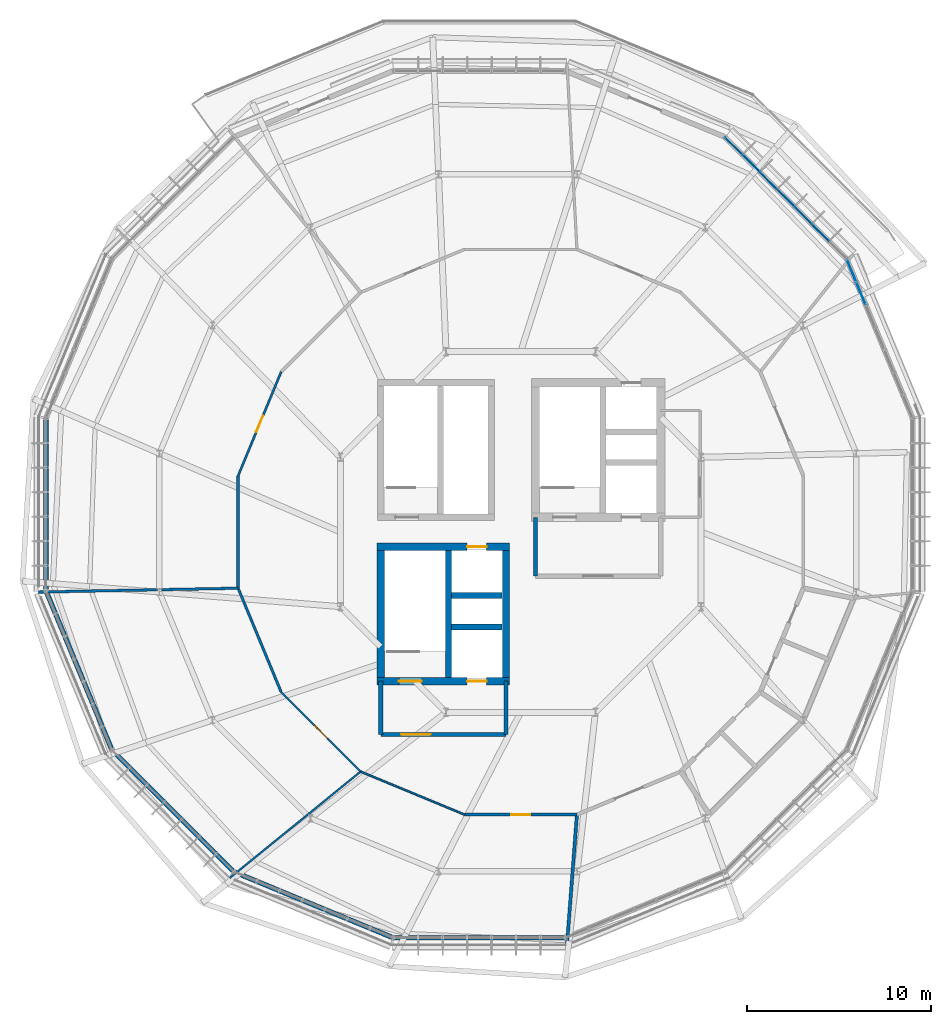
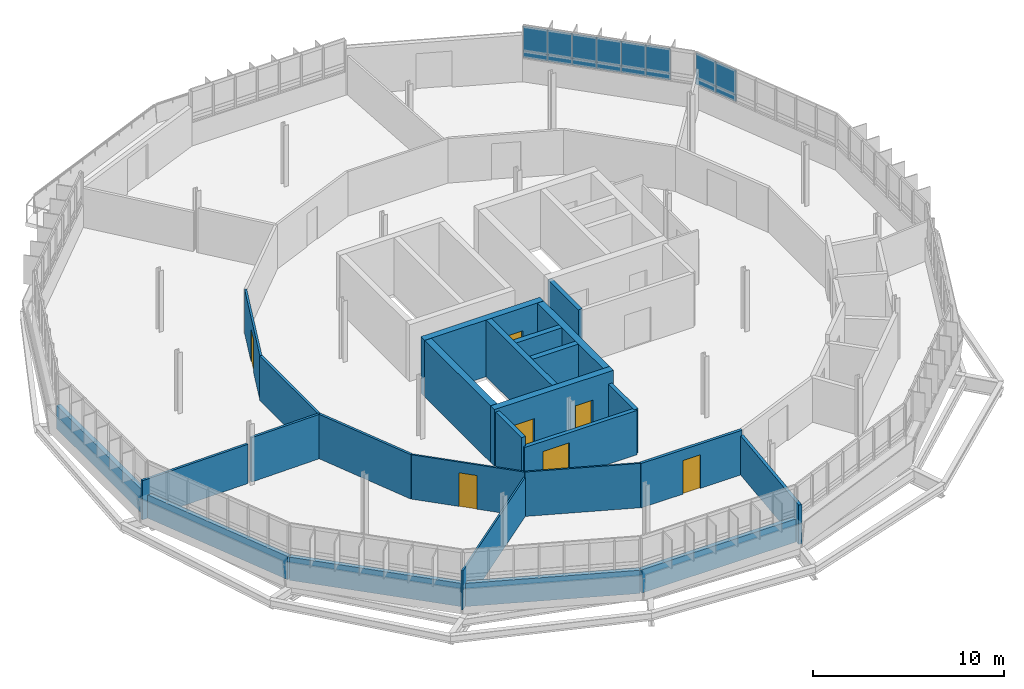
# One storey, part 26 of 31: 26 walls, 16 plates, 7 doors, 7 openings, 2 elements without a shape of their own.
"""IFC4 building model written with IfcOpenShell, lengths in metres."""

import ifcopenshell
import ifcopenshell.guid

model = None  # the IFC model being written
_history = None  # IfcOwnerHistory: only IFC2X3 demands one
_inside = {}  # id of a spatial element -> (the spatial element, [elements in it])
_under = {}  # id of a project, library or spatial element -> (it, [spatial elements below it])
_declared = {}  # id of a project -> (the project, [libraries it declares])
_typed = {}  # id of a type object -> (the type object, [elements of that type])
_made_of = {}  # id of a material, layer set ... -> (it, [elements and type objects made of it])


def new_model(schema):
    """Start an empty IFC model of exactly this schema.

    Asked for "IFC4X3", IfcOpenShell would pick the latest addendum, in which some entities
    have other attributes; the version numbers below select the first issue.
    IFC2X3 requires an IfcOwnerHistory on every rooted entity: one is made here for all.
    """
    global model, _history
    if schema == "IFC4X3":
        model = ifcopenshell.file(schema_version=(4, 3, 0, 0))
    else:
        model = ifcopenshell.file(schema=schema)
    _inside.clear()
    _under.clear()
    _declared.clear()
    _typed.clear()
    _made_of.clear()
    _history = None
    if model.schema == "IFC2X3":
        org = make("IfcOrganization", Name="unknown")
        user = make(
            "IfcPersonAndOrganization",
            ThePerson=make("IfcPerson", FamilyName="unknown"),
            TheOrganization=org,
        )
        app = make(
            "IfcApplication",
            ApplicationDeveloper=org,
            Version="unknown",
            ApplicationFullName="unknown",
            ApplicationIdentifier="unknown",
        )
        _history = make(
            "IfcOwnerHistory",
            OwningUser=user,
            OwningApplication=app,
            ChangeAction="ADDED",
            CreationDate=0,
        )
    return model


def make(cls, **values):
    """One entity of the class cls with the attributes given. An attribute that is None is left unset."""
    return model.create_entity(
        cls, **{name: value for name, value in values.items() if value is not None}
    )


def rooted(cls, **values):
    """An entity with a GlobalId (a new one), such as an element, a storey or a relation."""
    return make(cls, GlobalId=ifcopenshell.guid.new(), OwnerHistory=_history, **values)


def si_unit(unit_type, name, prefix=None):
    """IfcSIUnit, for example si_unit("LENGTHUNIT", "METRE", prefix="MILLI")."""
    return make("IfcSIUnit", UnitType=unit_type, Prefix=prefix, Name=name)


def derived_unit(unit_type, elements):
    """IfcDerivedUnit: a product of units, each with its exponent."""
    return make(
        "IfcDerivedUnit",
        Elements=[
            make("IfcDerivedUnitElement", Unit=unit, Exponent=power)
            for unit, power in elements
        ],
        UnitType=unit_type,
    )


def assignment(units):
    """IfcUnitAssignment: the units of a project."""
    return None if units is None else make("IfcUnitAssignment", Units=units)


def point(xyz):
    """IfcCartesianPoint."""
    return None if xyz is None else make("IfcCartesianPoint", Coordinates=xyz)


def direction(xyz):
    """IfcDirection."""
    return None if xyz is None else make("IfcDirection", DirectionRatios=xyz)


def frame(location, z_axis=None, x_axis=None):
    """IfcAxis2Placement3D, a coordinate frame: its origin and axes. An axis left out is left unset."""
    return make(
        "IfcAxis2Placement3D",
        Location=point(location),
        Axis=direction(z_axis),
        RefDirection=direction(x_axis),
    )


def frame_2d(location, x_axis=None):
    """IfcAxis2Placement2D, a coordinate frame in the plane: its origin and x axis."""
    return make(
        "IfcAxis2Placement2D", Location=point(location), RefDirection=direction(x_axis)
    )


def origin():
    """The frame at (0, 0, 0) with its axes left unset."""
    return frame((0.0, 0.0, 0.0))


def origin_2d():
    """The frame at (0, 0) in the plane with its x axis left unset."""
    return frame_2d((0.0, 0.0))


def place(relative_to, where):
    """IfcLocalPlacement: puts the frame where relative to a parent placement (None: the world)."""
    return make(
        "IfcLocalPlacement", PlacementRelTo=relative_to, RelativePlacement=where
    )


def context(
    kind, dimensions, precision=None, world=None, true_north=None, identifier=None
):
    """IfcGeometricRepresentationContext, for example the 3D "Model" context."""
    return make(
        "IfcGeometricRepresentationContext",
        ContextIdentifier=identifier,
        ContextType=kind,
        CoordinateSpaceDimension=dimensions,
        Precision=precision,
        WorldCoordinateSystem=world,
        TrueNorth=true_north,
    )


def subcontext(parent, identifier, kind, view, scale=None):
    """IfcGeometricRepresentationSubContext, for example "Body" below "Model"."""
    return make(
        "IfcGeometricRepresentationSubContext",
        ContextIdentifier=identifier,
        ContextType=kind,
        ParentContext=parent,
        TargetScale=scale,
        TargetView=view,
    )


def project(units=None, contexts=None):
    """IfcProject with its units and contexts."""
    return rooted(
        "IfcProject",
        Name="project",
        RepresentationContexts=contexts,
        UnitsInContext=assignment(units),
    )


def spatial(cls, under=None, at=None, **own):
    """A site, building, storey or space (cls), placed at a placement, below another one or the project."""
    s = rooted(cls, ObjectPlacement=at, **own)
    if under is not None:
        _under.setdefault(under.id(), (under, []))[1].append(s)
    return s


def profile(cls, at=None, kind="AREA", **sizes):
    """A parametric profile (cls). Its sizes go by their IFC names, for example OverallWidth=200.0."""
    return make(cls, ProfileType=kind, Position=at, **sizes)


def rectangle(**sizes):
    """IfcRectangleProfileDef."""
    return profile("IfcRectangleProfileDef", **sizes)


def extrude(swept, where, along, depth):
    """IfcExtrudedAreaSolid: the profile swept, set in the frame where, extruded along a direction by depth."""
    return make(
        "IfcExtrudedAreaSolid",
        SweptArea=swept,
        Position=where,
        ExtrudedDirection=direction(along),
        Depth=depth,
    )


def shape(context_of_items, identifier, shape_type, items):
    """IfcShapeRepresentation: the items that make up one representation, for example the "Body"."""
    return make(
        "IfcShapeRepresentation",
        ContextOfItems=context_of_items,
        RepresentationIdentifier=identifier,
        RepresentationType=shape_type,
        Items=items,
    )


def material(Name=None, Category=None):
    """IfcMaterial."""
    return make("IfcMaterial", Name=Name, Category=Category)


def layer(
    of_material, thickness, ventilated=None, Name=None, Category=None, Priority=None
):
    """IfcMaterialLayer: one layer of a wall or slab, of a material (None: an air gap)."""
    return make(
        "IfcMaterialLayer",
        Material=of_material,
        LayerThickness=thickness,
        IsVentilated=ventilated,
        Name=Name,
        Category=Category,
        Priority=Priority,
    )


def layer_set(layers, Name=None):
    """IfcMaterialLayerSet."""
    return make("IfcMaterialLayerSet", MaterialLayers=layers, LayerSetName=Name)


def made_of(thing, what):
    """Note that an element or type object is made of a material, layer set ...; save() writes the relation."""
    if what is not None:
        _made_of.setdefault(what.id(), (what, []))[1].append(thing)
    return thing


def type_object(cls, material=None, **own):
    """A type object (cls), such as IfcWallType, which elements share."""
    return made_of(rooted(cls, **own), material)


def element(
    cls,
    number,
    at=None,
    inside=None,
    cuts=None,
    type_object=None,
    material=None,
    context=None,
    identifier="Body",
    shape_type=None,
    held_by="IfcProductDefinitionShape",
    body=None,
    shapes=None,
    **own,
):
    """One element of the class cls, such as IfcWall. Its Tag is "e" and its number.

    at: its placement. inside: the storey or other place that contains it. cuts: it is an
    opening in that element (IfcRelVoidsElement). A single representation is given by context,
    identifier, shape_type and body (its items); several are given by shapes. held_by: the class
    of the entity that holds the representations. save() writes the other relations.
    """
    e = rooted(cls, Tag="e%d" % number, ObjectPlacement=at, **own)
    if body is not None:
        shapes = [shape(context, identifier, shape_type, body)]
    if shapes is not None:
        e.Representation = make(held_by, Representations=shapes)
    if inside is not None:
        _inside.setdefault(inside.id(), (inside, []))[1].append(e)
    if cuts is not None:
        rooted(
            "IfcRelVoidsElement", RelatingBuildingElement=cuts, RelatedOpeningElement=e
        )
    if type_object is not None:
        _typed.setdefault(type_object.id(), (type_object, []))[1].append(e)
    return made_of(e, material)


def fill(opening, filler):
    """IfcRelFillsElement: the door or window that sits in an opening."""
    return rooted(
        "IfcRelFillsElement",
        RelatingOpeningElement=opening,
        RelatedBuildingElement=filler,
    )


def aggregate(whole, parts):
    """IfcRelAggregates: a whole, such as a stair, and the parts it consists of."""
    return rooted("IfcRelAggregates", RelatingObject=whole, RelatedObjects=parts)


def save(model, path):
    """Write the relations noted so far, then the file.

    IfcRelAggregates (storeys below a building ...), IfcRelContainedInSpatialStructure (elements
    in a storey), IfcRelDefinesByType, IfcRelAssociatesMaterial and IfcRelDeclares: one each for
    every whole, place, type object, material and project.
    """
    for whole, parts in _under.values():
        aggregate(whole, parts)
    for where, things in _inside.values():
        rooted(
            "IfcRelContainedInSpatialStructure",
            RelatedElements=things,
            RelatingStructure=where,
        )
    for kind, things in _typed.values():
        rooted("IfcRelDefinesByType", RelatedObjects=things, RelatingType=kind)
    for what, things in _made_of.values():
        rooted("IfcRelAssociatesMaterial", RelatedObjects=things, RelatingMaterial=what)
    for by, libraries in _declared.values():
        rooted("IfcRelDeclares", RelatingContext=by, RelatedDefinitions=libraries)
    model.write(path)


model = new_model("IFC4")

# Units and contexts
model_context = context("Model", 3, precision=1e-05, world=origin(), true_north=direction((0.0, 1.0)))
body_context = subcontext(model_context, "Body", "Model", "MODEL_VIEW")
ifc_project = project(units=[si_unit("LENGTHUNIT", "METRE"), si_unit("AREAUNIT", "SQUARE_METRE"), si_unit("VOLUMEUNIT", "CUBIC_METRE"), si_unit("PLANEANGLEUNIT", "RADIAN"), si_unit("MASSUNIT", "GRAM", prefix="KILO"), derived_unit("THERMALTRANSMITTANCEUNIT", [(si_unit("MASSUNIT", "GRAM", prefix="KILO"), 1), (si_unit("TIMEUNIT", "SECOND"), -3), (si_unit("THERMODYNAMICTEMPERATUREUNIT", "KELVIN"), -1)])], contexts=[model_context])

# Site, building, storey
site_placement = place(None, origin())
site = spatial("IfcSite", under=ifc_project, at=site_placement, CompositionType="ELEMENT")
building_placement = place(site_placement, origin())
building = spatial("IfcBuilding", under=site, at=building_placement, Name="Makaiwela Harbour Ferry Terminal", CompositionType="ELEMENT")
storey_placement = place(building_placement, frame((0.0, 0.0, 21.60009765625)))
storey = spatial("IfcBuildingStorey", under=building, at=storey_placement, Name="L05", CompositionType="ELEMENT", Elevation=21.60009765625)

# Curtain wall, plates
ifc_material_1 = material(Name="Marine anodised aluminium 6063-T6", Category="aluminium")
ifc_layer_1 = layer(ifc_material_1, 0.199951171875)
ifc_layer_set_1 = layer_set([ifc_layer_1], Name="Marine anodised aluminium 6063-T6")
curtain_wall_type = type_object("IfcCurtainWallType", Name="ENV-CW-07", PredefinedType="USERDEFINED", material=ifc_layer_set_1)
curtain_wall_1_placement = place(storey_placement, origin())
curtain_wall_1 = element("IfcCurtainWall", 1, at=curtain_wall_1_placement, inside=storey, type_object=curtain_wall_type, Name="Unitised Curtain Wall CWA-058", ObjectType="UNITIZED CURTAIN WALL", PredefinedType="USERDEFINED")
ifc_material_2 = material(Name="Laminated hurricane-impact low-E insulated glazing", Category="glass")
ifc_layer_2 = layer(ifc_material_2, 0.031982421875)
ifc_layer_set_2 = layer_set([ifc_layer_2], Name="Laminated hurricane-impact low-E insulated glazing")
plate_type_1 = type_object("IfcPlateType", Name="CW-PNL-G10", PredefinedType="CURTAIN_PANEL", material=ifc_layer_set_2)
plate_1_placement = place(storey_placement, frame((56.27978515625, 80.56396484375, 1.89990234375), z_axis=(0.0, 0.0, 1.0), x_axis=(-0.382683432365, 0.923879532511, 0.0)))
plate_1 = element("IfcPlate", 2, at=plate_1_placement, type_object=plate_type_1, Name="Glazed Vision Panel CWA-058-6G", PredefinedType="CURTAIN_PANEL", context=body_context, shape_type="SweptSolid", body=[
    extrude(rectangle(XDim=1.3291015625, YDim=0.031982421875, at=origin_2d()), origin(), (0.0, 0.0, 1.0), 1.580078125),
])
plate_2_placement = place(storey_placement, frame((55.77099609375, 81.7919921875, 1.89990234375), z_axis=(0.0, 0.0, 1.0), x_axis=(-0.382683432365, 0.923879532511, 0.0)))
plate_2 = element("IfcPlate", 3, at=plate_2_placement, type_object=plate_type_1, Name="Glazed Vision Panel CWA-058-7G", PredefinedType="CURTAIN_PANEL", context=body_context, shape_type="SweptSolid", body=[
    extrude(rectangle(XDim=1.3291015625, YDim=0.031982421875, at=origin_2d()), origin(), (0.0, 0.0, 1.0), 1.580078125),
])

curtain_wall_2_placement = place(storey_placement, origin())
curtain_wall_2 = element("IfcCurtainWall", 4, at=curtain_wall_2_placement, inside=storey, type_object=curtain_wall_type, Name="Unitised Curtain Wall CWA-059", ObjectType="UNITIZED CURTAIN WALL", PredefinedType="USERDEFINED")
plate_3_placement = place(storey_placement, frame((54.07421875, 83.86474609375, 1.89990234375), z_axis=(0.0, 0.0, 1.0), x_axis=(-0.707106781187, 0.707106781187, 0.0)))
plate_3 = element("IfcPlate", 5, at=plate_3_placement, type_object=plate_type_1, Name="Glazed Vision Panel CWA-059-2G", PredefinedType="CURTAIN_PANEL", context=body_context, shape_type="SweptSolid", body=[
    extrude(rectangle(XDim=1.3291015625, YDim=0.031982421875, at=origin_2d()), origin(), (0.0, 0.0, 1.0), 1.580078125),
])
plate_4_placement = place(storey_placement, frame((53.134521484375, 84.8046875, 1.89990234375), z_axis=(0.0, 0.0, 1.0), x_axis=(-0.707106781187, 0.707106781187, 0.0)))
plate_4 = element("IfcPlate", 6, at=plate_4_placement, type_object=plate_type_1, Name="Glazed Vision Panel CWA-059-3G", PredefinedType="CURTAIN_PANEL", context=body_context, shape_type="SweptSolid", body=[
    extrude(rectangle(XDim=1.3291015625, YDim=0.031982421875, at=origin_2d()), origin(), (0.0, 0.0, 1.0), 1.580078125),
])
plate_5_placement = place(storey_placement, frame((52.194580078125, 85.744384765625, 1.89990234375), z_axis=(0.0, 0.0, 1.0), x_axis=(-0.707106781187, 0.707106781187, 0.0)))
plate_5 = element("IfcPlate", 7, at=plate_5_placement, type_object=plate_type_1, Name="Glazed Vision Panel CWA-059-4G", PredefinedType="CURTAIN_PANEL", context=body_context, shape_type="SweptSolid", body=[
    extrude(rectangle(XDim=1.3291015625, YDim=0.031982421875, at=origin_2d()), origin(), (0.0, 0.0, 1.0), 1.580078125),
])
plate_6_placement = place(storey_placement, frame((51.254638671875, 86.684326171875, 1.89990234375), z_axis=(0.0, 0.0, 1.0), x_axis=(-0.707106781187, 0.707106781187, 0.0)))
plate_6 = element("IfcPlate", 8, at=plate_6_placement, type_object=plate_type_1, Name="Glazed Vision Panel CWA-059-5G", PredefinedType="CURTAIN_PANEL", context=body_context, shape_type="SweptSolid", body=[
    extrude(rectangle(XDim=1.3291015625, YDim=0.031982421875, at=origin_2d()), origin(), (0.0, 0.0, 1.0), 1.580078125),
])
plate_7_placement = place(storey_placement, frame((50.314697265625, 87.624267578125, 1.89990234375), z_axis=(0.0, 0.0, 1.0), x_axis=(-0.707106781187, 0.707106781187, 0.0)))
plate_7 = element("IfcPlate", 9, at=plate_7_placement, type_object=plate_type_1, Name="Glazed Vision Panel CWA-059-6G", PredefinedType="CURTAIN_PANEL", context=body_context, shape_type="SweptSolid", body=[
    extrude(rectangle(XDim=1.3291015625, YDim=0.031982421875, at=origin_2d()), origin(), (0.0, 0.0, 1.0), 1.580078125),
])
plate_8_placement = place(storey_placement, frame((49.374755859375, 88.564208984375, 1.89990234375), z_axis=(0.0, 0.0, 1.0), x_axis=(-0.707106781187, 0.707106781187, 0.0)))
plate_8 = element("IfcPlate", 10, at=plate_8_placement, type_object=plate_type_1, Name="Glazed Vision Panel CWA-059-7G", PredefinedType="CURTAIN_PANEL", context=body_context, shape_type="SweptSolid", body=[
    extrude(rectangle(XDim=1.3291015625, YDim=0.031982421875, at=origin_2d()), origin(), (0.0, 0.0, 1.0), 1.580078125),
])

# Plate
ifc_material_3 = material(Name="Insulated marine aluminium spandrel panel", Category="aluminium")
ifc_layer_3 = layer(ifc_material_3, 0.048095703125)
ifc_layer_set_3 = layer_set([ifc_layer_3], Name="Insulated marine aluminium spandrel panel")
plate_type_2 = type_object("IfcPlateType", Name="CW-PNL-S01", PredefinedType="CURTAIN_PANEL", material=ifc_layer_set_3)
plate_9_placement = place(storey_placement, frame((56.27978515625, 80.56396484375, 1.47998046875), z_axis=(0.0, 0.0, 1.0), x_axis=(-0.382683432365, 0.923879532511, 0.0)))
plate_9 = element("IfcPlate", 11, at=plate_9_placement, type_object=plate_type_2, Name="Spandrel Panel CWA-058-6S", PredefinedType="CURTAIN_PANEL", context=body_context, shape_type="SweptSolid", body=[
    extrude(rectangle(XDim=1.3291015625, YDim=0.048095703125, at=origin_2d()), origin(), (0.0, 0.0, 1.0), 0.419921875),
])

plate_10_placement = place(storey_placement, frame((55.77099609375, 81.7919921875, 1.47998046875), z_axis=(0.0, 0.0, 1.0), x_axis=(-0.382683432365, 0.923879532511, 0.0)))
plate_10 = element("IfcPlate", 12, at=plate_10_placement, type_object=plate_type_2, Name="Spandrel Panel CWA-058-7S", PredefinedType="CURTAIN_PANEL", context=body_context, shape_type="SweptSolid", body=[
    extrude(rectangle(XDim=1.3291015625, YDim=0.048095703125, at=origin_2d()), origin(), (0.0, 0.0, 1.0), 0.419921875),
])

aggregate(curtain_wall_1, [plate_9, plate_1, plate_10, plate_2])

plate_11_placement = place(storey_placement, frame((54.07421875, 83.86474609375, 1.47998046875), z_axis=(0.0, 0.0, 1.0), x_axis=(-0.707106781187, 0.707106781187, 0.0)))
plate_11 = element("IfcPlate", 13, at=plate_11_placement, type_object=plate_type_2, Name="Spandrel Panel CWA-059-2S", PredefinedType="CURTAIN_PANEL", context=body_context, shape_type="SweptSolid", body=[
    extrude(rectangle(XDim=1.3291015625, YDim=0.048095703125, at=origin_2d()), origin(), (0.0, 0.0, 1.0), 0.419921875),
])

plate_12_placement = place(storey_placement, frame((53.134521484375, 84.8046875, 1.47998046875), z_axis=(0.0, 0.0, 1.0), x_axis=(-0.707106781187, 0.707106781187, 0.0)))
plate_12 = element("IfcPlate", 14, at=plate_12_placement, type_object=plate_type_2, Name="Spandrel Panel CWA-059-3S", PredefinedType="CURTAIN_PANEL", context=body_context, shape_type="SweptSolid", body=[
    extrude(rectangle(XDim=1.3291015625, YDim=0.048095703125, at=origin_2d()), origin(), (0.0, 0.0, 1.0), 0.419921875),
])

plate_13_placement = place(storey_placement, frame((52.194580078125, 85.744384765625, 1.47998046875), z_axis=(0.0, 0.0, 1.0), x_axis=(-0.707106781187, 0.707106781187, 0.0)))
plate_13 = element("IfcPlate", 15, at=plate_13_placement, type_object=plate_type_2, Name="Spandrel Panel CWA-059-4S", PredefinedType="CURTAIN_PANEL", context=body_context, shape_type="SweptSolid", body=[
    extrude(rectangle(XDim=1.3291015625, YDim=0.048095703125, at=origin_2d()), origin(), (0.0, 0.0, 1.0), 0.419921875),
])

plate_14_placement = place(storey_placement, frame((51.254638671875, 86.684326171875, 1.47998046875), z_axis=(0.0, 0.0, 1.0), x_axis=(-0.707106781187, 0.707106781187, 0.0)))
plate_14 = element("IfcPlate", 16, at=plate_14_placement, type_object=plate_type_2, Name="Spandrel Panel CWA-059-5S", PredefinedType="CURTAIN_PANEL", context=body_context, shape_type="SweptSolid", body=[
    extrude(rectangle(XDim=1.3291015625, YDim=0.048095703125, at=origin_2d()), origin(), (0.0, 0.0, 1.0), 0.419921875),
])

plate_15_placement = place(storey_placement, frame((50.314697265625, 87.624267578125, 1.47998046875), z_axis=(0.0, 0.0, 1.0), x_axis=(-0.707106781187, 0.707106781187, 0.0)))
plate_15 = element("IfcPlate", 17, at=plate_15_placement, type_object=plate_type_2, Name="Spandrel Panel CWA-059-6S", PredefinedType="CURTAIN_PANEL", context=body_context, shape_type="SweptSolid", body=[
    extrude(rectangle(XDim=1.3291015625, YDim=0.048095703125, at=origin_2d()), origin(), (0.0, 0.0, 1.0), 0.419921875),
])

plate_16_placement = place(storey_placement, frame((49.374755859375, 88.564208984375, 1.47998046875), z_axis=(0.0, 0.0, 1.0), x_axis=(-0.707106781187, 0.707106781187, 0.0)))
plate_16 = element("IfcPlate", 18, at=plate_16_placement, type_object=plate_type_2, Name="Spandrel Panel CWA-059-7S", PredefinedType="CURTAIN_PANEL", context=body_context, shape_type="SweptSolid", body=[
    extrude(rectangle(XDim=1.3291015625, YDim=0.048095703125, at=origin_2d()), origin(), (0.0, 0.0, 1.0), 0.419921875),
])

aggregate(curtain_wall_2, [plate_11, plate_3, plate_12, plate_4, plate_13, plate_5, plate_14, plate_6, plate_15, plate_7, plate_16, plate_8])

# Walls
ifc_material_4 = material(Name="Precast concrete f'c 40 MPa (6000 psi)", Category="concrete")
ifc_layer_4 = layer(ifc_material_4, 0.260009765625)
ifc_layer_set_4 = layer_set([ifc_layer_4], Name="Precast concrete f'c 40 MPa (6000 psi)")
wall_type_1 = type_object("IfcWallType", Name="ENV-WL-EXT260", PredefinedType="SOLIDWALL", material=ifc_layer_set_4)
for number, where, z_axis, x_axis, name in (
    (19, (12.01123046875, 73.752197265625, 0.0), (0.0, 0.0, 1.0), (0.0, -1.0, 0.0), "Drum Spandrel Backup Wall EW-L05-07"),
    (20, (12.022705078125, 64.39013671875, 0.0), (0.0, 0.0, 1.0), (0.382673140408, -0.923883795512, 0.0), "Drum Spandrel Backup Wall EW-L05-08"),
):
    element("IfcWall", number, at=place(storey_placement, frame(where, z_axis=z_axis, x_axis=x_axis)), inside=storey, type_object=wall_type_1, Name=name, PredefinedType="SOLIDWALL", context=body_context, shape_type="SweptSolid", body=[
        extrude(rectangle(XDim=9.304443359375, YDim=0.260009765625, at=frame_2d((4.65234375, 0.0))), origin(), (0.0, 0.0, 1.0), 1.47998046875),
    ])
wall_1_placement = place(storey_placement, frame((15.615966796875, 55.7451171875, 0.0), z_axis=(0.0, 0.0, 1.0), x_axis=(0.707106781187, -0.707106781187, 0.0)))
element("IfcWall", 21, at=wall_1_placement, inside=storey, type_object=wall_type_1, Name="Drum Spandrel Backup Wall EW-L05-09", PredefinedType="SOLIDWALL", context=body_context, shape_type="SweptSolid", body=[
    extrude(rectangle(XDim=9.30419921875, YDim=0.260009765625, at=frame_2d((4.652099609375, 0.0))), origin(), (0.0, 0.0, 1.0), 1.47998046875),
])
for number, where, z_axis, x_axis, name in (
    (22, (22.243896484375, 49.13330078125, 0.0), (0.0, 0.0, 1.0), (0.923883795512, -0.382673140408, 0.0), "Drum Spandrel Backup Wall EW-L05-10"),
    (23, (30.897705078125, 45.561279296875, 0.0), (0.0, 0.0, 1.0), (1.0, 0.0, 0.0), "Drum Spandrel Backup Wall EW-L05-11"),
):
    element("IfcWall", number, at=place(storey_placement, frame(where, z_axis=z_axis, x_axis=x_axis)), inside=storey, type_object=wall_type_1, Name=name, PredefinedType="SOLIDWALL", context=body_context, shape_type="SweptSolid", body=[
        extrude(rectangle(XDim=9.304443359375, YDim=0.260009765625, at=frame_2d((4.65234375, 0.0))), origin(), (0.0, 0.0, 1.0), 1.47998046875),
    ])

# Wall, opening, door
ifc_material_5 = material(Name="Fire-rated gypsum board on steel studs", Category="steel")
ifc_layer_5 = layer(ifc_material_5, 0.1650390625)
ifc_layer_set_5 = layer_set([ifc_layer_5], Name="Fire-rated gypsum board on steel studs")
wall_type_2 = type_object("IfcWallType", Name="INT-WL-FIR165", PredefinedType="PARTITIONING", material=ifc_layer_set_5)
wall_2_placement = place(storey_placement, frame((34.746826171875, 52.250732421875, 0.0), z_axis=(0.0, 0.0, 1.0), x_axis=(1.0, 0.0, 0.0)))
wall_2 = element("IfcWall", 24, at=wall_2_placement, inside=storey, type_object=wall_type_2, Name="Interior Wall IW-0408", PredefinedType="PARTITIONING", context=body_context, shape_type="SweptSolid", body=[
    extrude(rectangle(XDim=6.1064453125, YDim=0.1650390625, at=frame_2d((3.05322265625, 0.0))), origin(), (0.0, 0.0, 1.0), 2.8388671875),
])
opening_1_placement = place(wall_2_placement, frame((2.5283203125, 0.0, 0.0)))
opening_1 = element("IfcOpeningElement", 25, at=opening_1_placement, cuts=wall_2, Name="Opening D-10", PredefinedType="OPENING", context=body_context, shape_type="SweptSolid", body=[
    extrude(rectangle(XDim=1.050048828125, YDim=2.14990234375, at=frame_2d((0.52490234375, 1.074951171875))), frame((0.0, 0.092529296875, 0.0), z_axis=(0.0, -1.0, 0.0), x_axis=(1.0, 0.0, 0.0)), (0.0, 0.0, 1.0), 0.18505859375),
])
ifc_material_6 = material(Name="Solid-core marine hardwood and painted steel frame", Category="steel")
door_type_1 = type_object("IfcDoorType", Name="INT-DR-RM105", OperationType="NOTDEFINED", PredefinedType="DOOR", material=ifc_material_6)
door_1_placement = place(opening_1_placement, frame((1.050048828125, 0.0, 0.0), z_axis=(0.0, 0.0, 1.0), x_axis=(-1.0, 0.0, 0.0)))
door_1 = element("IfcDoor", 26, at=door_1_placement, inside=storey, type_object=door_type_1, Name="Door D-10", OperationType="SINGLE_SWING_RIGHT", OverallHeight=2.14990234375, OverallWidth=1.050048828125, PredefinedType="DOOR", context=body_context, shape_type="SweptSolid", body=[
    extrude(rectangle(XDim=1.050048828125, YDim=2.14990234375, at=frame_2d((0.52490234375, 1.074951171875))), frame((0.0, 0.02490234375, 0.0), z_axis=(0.0, -1.0, 0.0), x_axis=(1.0, 0.0, 0.0)), (0.0, 0.0, 1.0), 0.050048828125),
])
fill(opening_1, door_1)

# Walls
ifc_layer_6 = layer(ifc_material_5, 0.179931640625)
ifc_layer_set_6 = layer_set([ifc_layer_6], Name="Fire-rated gypsum board on steel studs")
wall_type_3 = type_object("IfcWallType", Name="INT-WL-FIR180", PredefinedType="PARTITIONING", material=ifc_layer_set_6)
wall_3_placement = place(storey_placement, frame((40.853271484375, 52.250732421875, 0.0), z_axis=(0.0, 0.0, 1.0), x_axis=(-0.076066499822, -0.997102746764, 0.0)))
element("IfcWall", 27, at=wall_3_placement, inside=storey, type_object=wall_type_3, Name="Interior Wall IW-0429", PredefinedType="PARTITIONING", context=body_context, shape_type="SweptSolid", body=[
    extrude(rectangle(XDim=7.1123046875, YDim=0.179931640625, at=frame_2d((3.55615234375, 0.0))), origin(), (0.0, 0.0, 1.0), 2.5048828125),
])
ifc_layer_7 = layer(ifc_material_5, 0.239990234375)
ifc_layer_set_7 = layer_set([ifc_layer_7], Name="Fire-rated gypsum board on steel studs")
wall_type_4 = type_object("IfcWallType", Name="INT-WL-FIR240", PredefinedType="SOLIDWALL", material=ifc_layer_set_7)
wall_4_placement = place(storey_placement, frame((38.60009765625, 68.39990234375, 0.0), z_axis=(0.0, 0.0, 1.0), x_axis=(0.0, -1.0, 0.0)))
element("IfcWall", 28, at=wall_4_placement, inside=storey, type_object=wall_type_4, Name="Interior Wall IW-0052", PredefinedType="SOLIDWALL", context=body_context, shape_type="SweptSolid", body=[
    extrude(rectangle(XDim=3.199951171875, YDim=0.239990234375, at=frame_2d((1.60009765625, 0.0))), origin(), (0.0, 0.0, 1.0), 3.43994140625),
])

# Wall, opening, door
wall_5_placement = place(storey_placement, frame((30.199951171875, 56.60009765625, 0.0), z_axis=(0.0, 0.0, 1.0), x_axis=(1.0, 0.0, 0.0)))
wall_5 = element("IfcWall", 29, at=wall_5_placement, inside=storey, type_object=wall_type_4, Name="Interior Wall IW-0115", PredefinedType="SOLIDWALL", context=body_context, shape_type="SweptSolid", body=[
    extrude(rectangle(XDim=6.800048828125, YDim=0.239990234375, at=frame_2d((3.39990234375, 0.0))), origin(), (0.0, 0.0, 1.0), 2.8388671875),
])
opening_2_placement = place(wall_5_placement, frame((1.10400390625, 0.0, 0.0)))
opening_2 = element("IfcOpeningElement", 30, at=opening_2_placement, cuts=wall_5, Name="Opening D-03", PredefinedType="OPENING", context=body_context, shape_type="SweptSolid", body=[
    extrude(rectangle(XDim=1.60009765625, YDim=2.199951171875, at=frame_2d((0.800048828125, 1.10009765625))), frame((0.0, 0.1298828125, 0.0), z_axis=(0.0, -1.0, 0.0), x_axis=(1.0, 0.0, 0.0)), (0.0, 0.0, 1.0), 0.260009765625),
])
ifc_material_7 = material(Name="Insulated galvanised fire-rated steel leaf and frame", Category="steel")
door_type_2 = type_object("IfcDoorType", Name="INT-DR-FFL160", OperationType="NOTDEFINED", PredefinedType="DOOR", material=ifc_material_7)
door_2_placement = place(opening_2_placement, frame((1.60009765625, 0.0, 0.0), z_axis=(0.0, 0.0, 1.0), x_axis=(-1.0, 0.0, 0.0)))
door_2 = element("IfcDoor", 31, at=door_2_placement, inside=storey, type_object=door_type_2, Name="Door D-03", OperationType="DOUBLE_DOOR_SINGLE_SWING", OverallHeight=2.199951171875, OverallWidth=1.60009765625, PredefinedType="DOOR", context=body_context, shape_type="SweptSolid", body=[
    extrude(rectangle(XDim=1.60009765625, YDim=2.199951171875, at=frame_2d((0.800048828125, 1.10009765625))), frame((0.0, 0.02490234375, 0.0), z_axis=(0.0, -1.0, 0.0), x_axis=(1.0, 0.0, 0.0)), (0.0, 0.0, 1.0), 0.050048828125),
])
fill(opening_2, door_2)

# Walls
wall_6_placement = place(storey_placement, frame((30.199951171875, 59.5, 0.0), z_axis=(0.0, 0.0, 1.0), x_axis=(0.0, -1.0, 0.0)))
element("IfcWall", 32, at=wall_6_placement, inside=storey, type_object=wall_type_4, Name="Interior Wall IW-0116", PredefinedType="SOLIDWALL", context=body_context, shape_type="SweptSolid", body=[
    extrude(rectangle(XDim=2.89990234375, YDim=0.239990234375, at=frame_2d((1.449951171875, 0.0))), origin(), (0.0, 0.0, 1.0), 3.43994140625),
])
wall_7_placement = place(storey_placement, frame((37.0, 56.60009765625, 0.0), z_axis=(0.0, 0.0, 1.0), x_axis=(0.0, 1.0, 0.0)))
element("IfcWall", 33, at=wall_7_placement, inside=storey, type_object=wall_type_4, Name="Interior Wall IW-0117", PredefinedType="SOLIDWALL", context=body_context, shape_type="SweptSolid", body=[
    extrude(rectangle(XDim=2.89990234375, YDim=0.239990234375, at=frame_2d((1.449951171875, 0.0))), origin(), (0.0, 0.0, 1.0), 2.8388671875),
])

# Wall, opening, door
ifc_material_8 = material(Name="Moisture-resistant acoustic gypsum partition", Category="gypsum")
ifc_layer_8 = layer(ifc_material_8, 0.10009765625)
ifc_layer_set_8 = layer_set([ifc_layer_8], Name="Moisture-resistant acoustic gypsum partition")
wall_type_5 = type_object("IfcWallType", Name="INT-WL-PRT100", PredefinedType="PARTITIONING", material=ifc_layer_set_8)
wall_8_placement = place(storey_placement, frame((24.78759765625, 58.9052734375, 0.0), z_axis=(0.0, 0.0, 1.0), x_axis=(0.707086789759, -0.707126772049, 0.0)))
wall_8 = element("IfcWall", 34, at=wall_8_placement, inside=storey, type_object=wall_type_5, Name="Interior Wall IW-0406", PredefinedType="PARTITIONING", context=body_context, shape_type="SweptSolid", body=[
    extrude(rectangle(XDim=6.106201171875, YDim=0.10009765625, at=frame_2d((3.05322265625, 0.0))), origin(), (0.0, 0.0, 1.0), 2.8388671875),
])
opening_3_placement = place(wall_8_placement, frame((2.552978515625, 0.0, 0.0)))
opening_3 = element("IfcOpeningElement", 35, at=opening_3_placement, cuts=wall_8, Name="Opening D-09", PredefinedType="OPENING", context=body_context, shape_type="SweptSolid", body=[
    extrude(rectangle(XDim=1.0, YDim=2.14990234375, at=frame_2d((0.5, 1.074951171875))), frame((0.0, 0.06005859375, 0.0), z_axis=(0.0, -1.0, 0.0), x_axis=(1.0, 0.0, 0.0)), (0.0, 0.0, 1.0), 0.1201171875),
])
door_type_3 = type_object("IfcDoorType", Name="INT-DR-RM100", OperationType="NOTDEFINED", PredefinedType="DOOR", material=ifc_material_6)
door_3_placement = place(opening_3_placement, frame((1.0, 0.0, 0.0), z_axis=(0.0, 0.0, 1.0), x_axis=(-1.0, 0.0, 0.0)))
door_3 = element("IfcDoor", 36, at=door_3_placement, inside=storey, type_object=door_type_3, Name="Door D-09", OperationType="SINGLE_SWING_LEFT", OverallHeight=2.14990234375, OverallWidth=1.0, PredefinedType="DOOR", context=body_context, shape_type="SweptSolid", body=[
    extrude(rectangle(XDim=1.0, YDim=2.14990234375, at=frame_2d((0.5, 1.074951171875))), frame((0.0, 0.02490234375, 0.0), z_axis=(0.0, -1.0, 0.0), x_axis=(1.0, 0.0, 0.0)), (0.0, 0.0, 1.0), 0.050048828125),
])
fill(opening_3, door_3)

# Walls
wall_9_placement = place(storey_placement, frame((29.105224609375, 54.58740234375, 0.0), z_axis=(0.0, 0.0, 1.0), x_axis=(0.92388867793, -0.382661352625, 0.0)))
element("IfcWall", 37, at=wall_9_placement, inside=storey, type_object=wall_type_5, Name="Interior Wall IW-0407", PredefinedType="PARTITIONING", context=body_context, shape_type="SweptSolid", body=[
    extrude(rectangle(XDim=6.1064453125, YDim=0.10009765625, at=frame_2d((3.05322265625, 0.0))), origin(), (0.0, 0.0, 1.0), 2.8388671875),
])
wall_10_placement = place(storey_placement, frame((29.105224609375, 54.58740234375, 0.0), z_axis=(0.0, 0.0, 1.0), x_axis=(-0.776040705186, -0.630682823529, 0.0)))
element("IfcWall", 38, at=wall_10_placement, inside=storey, type_object=wall_type_5, Name="Interior Wall IW-0428", PredefinedType="PARTITIONING", context=body_context, shape_type="SweptSolid", body=[
    extrude(rectangle(XDim=9.17041015625, YDim=0.10009765625, at=frame_2d((4.585205078125, 0.0))), origin(), (0.0, 0.0, 1.0), 2.5048828125),
])

# Wall, opening, door
ifc_layer_9 = layer(ifc_material_8, 0.1201171875)
ifc_layer_set_9 = layer_set([ifc_layer_9], Name="Moisture-resistant acoustic gypsum partition")
wall_type_6 = type_object("IfcWallType", Name="INT-WL-PRT120", PredefinedType="PARTITIONING", material=ifc_layer_set_9)
wall_11_placement = place(storey_placement, frame((24.78759765625, 76.294677734375, 0.0), z_axis=(0.0, 0.0, 1.0), x_axis=(-0.382709614887, -0.923868686921, 0.0)))
wall_11 = element("IfcWall", 39, at=wall_11_placement, inside=storey, type_object=wall_type_6, Name="Interior Wall IW-0403", PredefinedType="PARTITIONING", context=body_context, shape_type="SweptSolid", body=[
    extrude(rectangle(XDim=6.106201171875, YDim=0.1201171875, at=frame_2d((3.05322265625, 0.0))), origin(), (0.0, 0.0, 1.0), 2.8388671875),
])
opening_4_placement = place(wall_11_placement, frame((2.578125, 0.0, 0.0)))
opening_4 = element("IfcOpeningElement", 40, at=opening_4_placement, cuts=wall_11, Name="Opening D-08", PredefinedType="OPENING", context=body_context, shape_type="SweptSolid", body=[
    extrude(rectangle(XDim=0.949951171875, YDim=2.10009765625, at=frame_2d((0.47509765625, 1.050048828125))), frame((0.0, 0.070068359375, 0.0), z_axis=(0.0, -1.0, 0.0), x_axis=(1.0, 0.0, 0.0)), (0.0, 0.0, 1.0), 0.14013671875),
])
door_type_4 = type_object("IfcDoorType", Name="INT-DR-RM095", OperationType="NOTDEFINED", PredefinedType="DOOR", material=ifc_material_6)
door_4_placement = place(opening_4_placement, frame((0.949951171875, 0.0, 0.0), z_axis=(0.0, 0.0, 1.0), x_axis=(-1.0, 0.0, 0.0)))
door_4 = element("IfcDoor", 41, at=door_4_placement, inside=storey, type_object=door_type_4, Name="Door D-08", OperationType="SINGLE_SWING_RIGHT", OverallHeight=2.10009765625, OverallWidth=0.949951171875, PredefinedType="DOOR", context=body_context, shape_type="SweptSolid", body=[
    extrude(rectangle(XDim=0.949951171875, YDim=2.10009765625, at=frame_2d((0.47509765625, 1.050048828125))), frame((0.0, 0.02490234375, 0.0), z_axis=(0.0, -1.0, 0.0), x_axis=(1.0, 0.0, 0.0)), (0.0, 0.0, 1.0), 0.050048828125),
])
fill(opening_4, door_4)

# Walls
ifc_layer_10 = layer(ifc_material_8, 0.139892578125)
ifc_layer_set_10 = layer_set([ifc_layer_10], Name="Moisture-resistant acoustic gypsum partition")
wall_type_7 = type_object("IfcWallType", Name="INT-WL-PRT140", PredefinedType="PARTITIONING", material=ifc_layer_set_10)
wall_12_placement = place(storey_placement, frame((22.45068359375, 64.546875, 0.0), z_axis=(0.0, 0.0, 1.0), x_axis=(0.382695478721, -0.923874542655, 0.0)))
element("IfcWall", 42, at=wall_12_placement, inside=storey, type_object=wall_type_7, Name="Interior Wall IW-0405", PredefinedType="PARTITIONING", context=body_context, shape_type="SweptSolid", body=[
    extrude(rectangle(XDim=6.1064453125, YDim=0.139892578125, at=frame_2d((3.05322265625, 0.0))), origin(), (0.0, 0.0, 1.0), 2.8388671875),
])
wall_13_placement = place(storey_placement, frame((22.45068359375, 64.546875, 0.0), z_axis=(0.0, 0.0, 1.0), x_axis=(-0.999813840854, -0.019294653069, 0.0)))
element("IfcWall", 43, at=wall_13_placement, inside=storey, type_object=wall_type_7, Name="Interior Wall IW-0426", PredefinedType="PARTITIONING", context=body_context, shape_type="SweptSolid", body=[
    extrude(rectangle(XDim=4.175537109375, YDim=0.139892578125, at=frame_2d((2.087890625, 0.0))), origin(), (0.0, 0.0, 1.0), 2.8388671875),
])
wall_14_placement = place(storey_placement, frame((18.060791015625, 64.462158203125, 0.0), z_axis=(0.0, 0.0, 1.0), x_axis=(-0.999814566145, -0.019257033116, 0.0)))
element("IfcWall", 44, at=wall_14_placement, inside=storey, type_object=wall_type_7, Name="Interior Wall IW-0427", PredefinedType="PARTITIONING", context=body_context, shape_type="SweptSolid", body=[
    extrude(rectangle(XDim=6.453125, YDim=0.139892578125, at=frame_2d((3.2265625, 0.0))), origin(), (0.0, 0.0, 1.0), 2.5048828125),
])
ifc_layer_11 = layer(ifc_material_8, 0.14990234375)
ifc_layer_set_11 = layer_set([ifc_layer_11], Name="Moisture-resistant acoustic gypsum partition")
wall_type_8 = type_object("IfcWallType", Name="INT-WL-PRT150", PredefinedType="PARTITIONING", material=ifc_layer_set_11)
wall_15_placement = place(storey_placement, frame((22.45068359375, 70.6533203125, 0.0), z_axis=(0.0, 0.0, 1.0), x_axis=(0.0, -1.0, 0.0)))
element("IfcWall", 45, at=wall_15_placement, inside=storey, type_object=wall_type_8, Name="Interior Wall IW-0404", PredefinedType="PARTITIONING", context=body_context, shape_type="SweptSolid", body=[
    extrude(rectangle(XDim=6.1064453125, YDim=0.14990234375, at=frame_2d((3.05322265625, 0.0))), origin(), (0.0, 0.0, 1.0), 2.8388671875),
])
ifc_material_9 = material(Name="Concrete f'c 45 MPa (6500 psi)", Category="concrete")
ifc_layer_12 = layer(ifc_material_9, 0.320068359375)
ifc_layer_set_12 = layer_set([ifc_layer_12], Name="Concrete f'c 45 MPa (6500 psi)")
wall_type_9 = type_object("IfcWallType", Name="INT-WL-SHR320", PredefinedType="SHEAR", material=ifc_layer_set_12)
wall_16_placement = place(storey_placement, frame((33.8720703125, 59.7099609375, 0.0), z_axis=(0.0, 0.0, 1.0), x_axis=(0.0, 1.0, 0.0)))
element("IfcWall", 46, at=wall_16_placement, inside=storey, type_object=wall_type_9, Name="Interior Wall IW-0122", PredefinedType="SHEAR", context=body_context, shape_type="SweptSolid", body=[
    extrude(rectangle(XDim=6.880126953125, YDim=0.320068359375, at=frame_2d((3.43994140625, 0.0))), origin(), (0.0, 0.0, 1.0), 3.619873046875),
])
for number, where, z_axis, x_axis, name in (
    (47, (34.037109375, 62.43994140625, 0.0), (0.0, 0.0, 1.0), (1.0, 0.0, 0.0), "Interior Wall IW-0123"),
    (48, (34.037109375, 64.159912109375, 0.0), (0.0, 0.0, 1.0), (1.0, 0.0, 0.0), "Interior Wall IW-0124"),
):
    element("IfcWall", number, at=place(storey_placement, frame(where, z_axis=z_axis, x_axis=x_axis)), inside=storey, type_object=wall_type_9, Name=name, PredefinedType="SHEAR", context=body_context, shape_type="SweptSolid", body=[
        extrude(rectangle(XDim=2.7578125, YDim=0.320068359375, at=frame_2d((1.37890625, 0.0))), origin(), (0.0, 0.0, 1.0), 3.619873046875),
    ])

# Wall, openings, doors
ifc_layer_13 = layer(ifc_material_9, 0.39990234375)
ifc_layer_set_13 = layer_set([ifc_layer_13], Name="Concrete f'c 45 MPa (6500 psi)")
wall_type_10 = type_object("IfcWallType", Name="INT-WL-SHR400", PredefinedType="SHEAR", material=ifc_layer_set_13)
wall_17_placement = place(storey_placement, frame((30.0, 59.5, 0.0), z_axis=(0.0, 0.0, 1.0), x_axis=(1.0, 0.0, 0.0)))
wall_17 = element("IfcWall", 49, at=wall_17_placement, inside=storey, type_object=wall_type_10, Name="Interior Wall IW-0118", PredefinedType="SHEAR", context=body_context, shape_type="SweptSolid", body=[
    extrude(rectangle(XDim=7.199951171875, YDim=0.39990234375, at=frame_2d((3.60009765625, 0.0))), origin(), (0.0, 0.0, 1.0), 3.619873046875),
])
opening_5_placement = place(wall_17_placement, frame((1.175048828125, 0.0, 0.0)))
opening_5 = element("IfcOpeningElement", 50, at=opening_5_placement, cuts=wall_17, Name="Opening D-02", PredefinedType="OPENING", context=body_context, shape_type="SweptSolid", body=[
    extrude(rectangle(XDim=1.25, YDim=2.199951171875, at=frame_2d((0.625, 1.10009765625))), frame((0.0, 0.2099609375, 0.0), z_axis=(0.0, -1.0, 0.0), x_axis=(1.0, 0.0, 0.0)), (0.0, 0.0, 1.0), 0.419921875),
])
opening_6_placement = place(wall_17_placement, frame((4.890869140625, 0.0, 0.0)))
opening_6 = element("IfcOpeningElement", 51, at=opening_6_placement, cuts=wall_17, Name="Opening LD-01", PredefinedType="OPENING", context=body_context, shape_type="SweptSolid", body=[
    extrude(rectangle(XDim=1.050048828125, YDim=2.14990234375, at=frame_2d((0.52490234375, 1.074951171875))), frame((0.0, 0.2099609375, 0.0), z_axis=(0.0, -1.0, 0.0), x_axis=(1.0, 0.0, 0.0)), (0.0, 0.0, 1.0), 0.419921875),
])
ifc_material_10 = material(Name="Marine grade 316L brushed stainless steel", Category="steel")
door_type_5 = type_object("IfcDoorType", Name="INT-DR-LD105", OperationType="NOTDEFINED", PredefinedType="DOOR", material=ifc_material_10)
door_5_placement = place(opening_6_placement, frame((1.050048828125, 0.0, 0.0), z_axis=(0.0, 0.0, 1.0), x_axis=(-1.0, 0.0, 0.0)))
door_5 = element("IfcDoor", 52, at=door_5_placement, inside=storey, type_object=door_type_5, Name="Door LD-01", OperationType="DOUBLE_DOOR_SLIDING", OverallHeight=2.14990234375, OverallWidth=1.050048828125, PredefinedType="DOOR", context=body_context, shape_type="SweptSolid", body=[
    extrude(rectangle(XDim=1.050048828125, YDim=2.14990234375, at=frame_2d((0.52490234375, 1.074951171875))), frame((0.0, 0.02490234375, 0.0), z_axis=(0.0, -1.0, 0.0), x_axis=(1.0, 0.0, 0.0)), (0.0, 0.0, 1.0), 0.050048828125),
])
fill(opening_6, door_5)
door_type_6 = type_object("IfcDoorType", Name="INT-DR-ST125", OperationType="NOTDEFINED", PredefinedType="DOOR", material=ifc_material_7)
door_6_placement = place(opening_5_placement, frame((1.25, 0.0, 0.0), z_axis=(0.0, 0.0, 1.0), x_axis=(-1.0, 0.0, 0.0)))
door_6 = element("IfcDoor", 53, at=door_6_placement, inside=storey, type_object=door_type_6, Name="Door D-02", OperationType="SINGLE_SWING_RIGHT", OverallHeight=2.199951171875, OverallWidth=1.25, PredefinedType="DOOR", context=body_context, shape_type="SweptSolid", body=[
    extrude(rectangle(XDim=1.25, YDim=2.199951171875, at=frame_2d((0.625, 1.10009765625))), frame((0.0, 0.02490234375, 0.0), z_axis=(0.0, -1.0, 0.0), x_axis=(1.0, 0.0, 0.0)), (0.0, 0.0, 1.0), 0.050048828125),
])
fill(opening_5, door_6)

# Wall, opening, door
wall_18_placement = place(storey_placement, frame((30.0, 66.800048828125, 0.0), z_axis=(0.0, 0.0, 1.0), x_axis=(1.0, 0.0, 0.0)))
wall_18 = element("IfcWall", 54, at=wall_18_placement, inside=storey, type_object=wall_type_10, Name="Interior Wall IW-0119", PredefinedType="SHEAR", context=body_context, shape_type="SweptSolid", body=[
    extrude(rectangle(XDim=7.199951171875, YDim=0.39990234375, at=frame_2d((3.60009765625, 0.0))), origin(), (0.0, 0.0, 1.0), 3.619873046875),
])
opening_7_placement = place(wall_18_placement, frame((4.890869140625, 0.0, 0.0)))
opening_7 = element("IfcOpeningElement", 55, at=opening_7_placement, cuts=wall_18, Name="Opening LD-01", PredefinedType="OPENING", context=body_context, shape_type="SweptSolid", body=[
    extrude(rectangle(XDim=1.050048828125, YDim=2.14990234375, at=frame_2d((0.52490234375, 1.074951171875))), frame((0.0, 0.2099609375, 0.0), z_axis=(0.0, -1.0, 0.0), x_axis=(1.0, 0.0, 0.0)), (0.0, 0.0, 1.0), 0.419921875),
])
door_7_placement = place(opening_7_placement, origin())
door_7 = element("IfcDoor", 56, at=door_7_placement, inside=storey, type_object=door_type_5, Name="Door LD-01", OperationType="DOUBLE_DOOR_SLIDING", OverallHeight=2.14990234375, OverallWidth=1.050048828125, PredefinedType="DOOR", context=body_context, shape_type="SweptSolid", body=[
    extrude(rectangle(XDim=1.050048828125, YDim=2.14990234375, at=frame_2d((0.52490234375, 1.074951171875))), frame((0.0, 0.02490234375, 0.0), z_axis=(0.0, -1.0, 0.0), x_axis=(1.0, 0.0, 0.0)), (0.0, 0.0, 1.0), 0.050048828125),
])
fill(opening_7, door_7)

# Walls
for number, where, z_axis, x_axis, name in (
    (57, (30.199951171875, 59.7099609375, 0.0), (0.0, 0.0, 1.0), (0.0, 1.0, 0.0), "Interior Wall IW-0120"),
    (58, (37.0, 59.7099609375, 0.0), (0.0, 0.0, 1.0), (0.0, 1.0, 0.0), "Interior Wall IW-0121"),
):
    element("IfcWall", number, at=place(storey_placement, frame(where, z_axis=z_axis, x_axis=x_axis)), inside=storey, type_object=wall_type_10, Name=name, PredefinedType="SHEAR", context=body_context, shape_type="SweptSolid", body=[
        extrude(rectangle(XDim=6.880126953125, YDim=0.39990234375, at=frame_2d((3.43994140625, 0.0))), origin(), (0.0, 0.0, 1.0), 3.619873046875),
    ])

save(model, "model.ifc")
